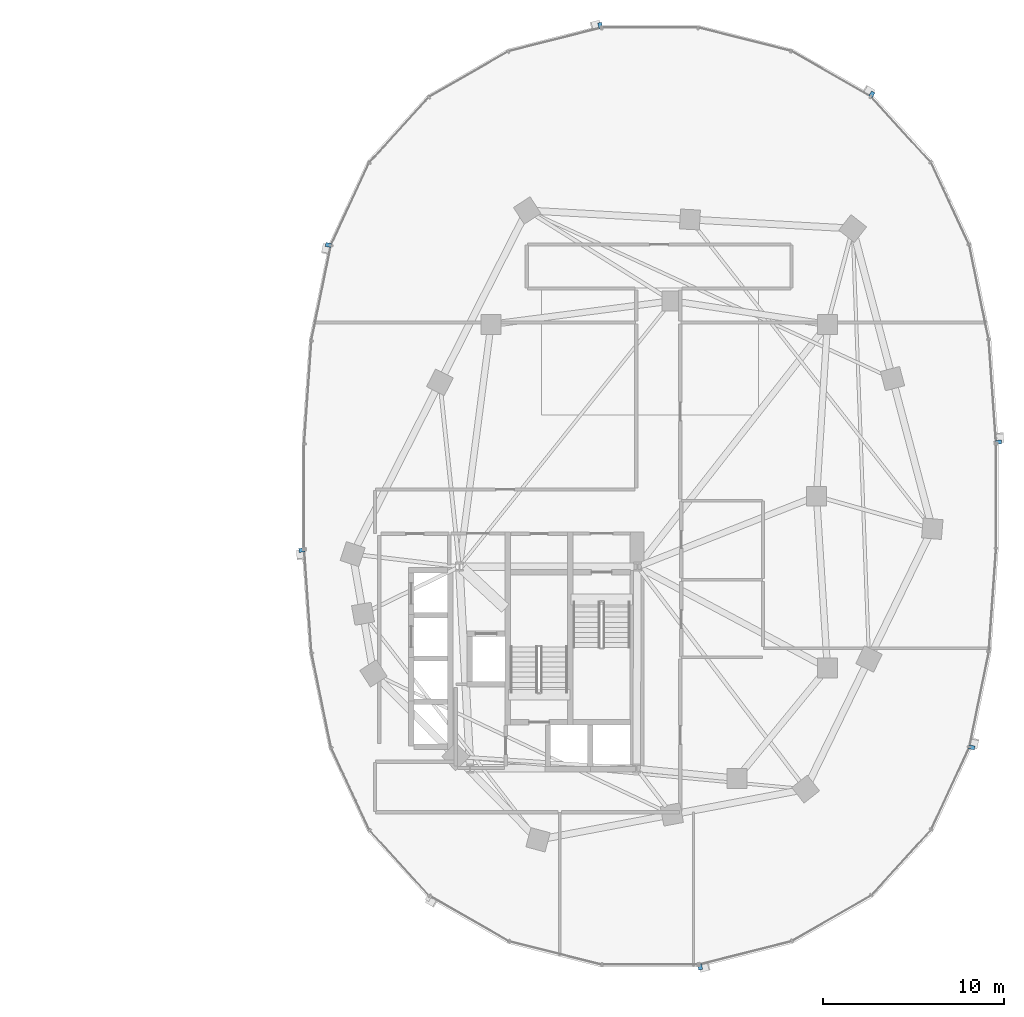
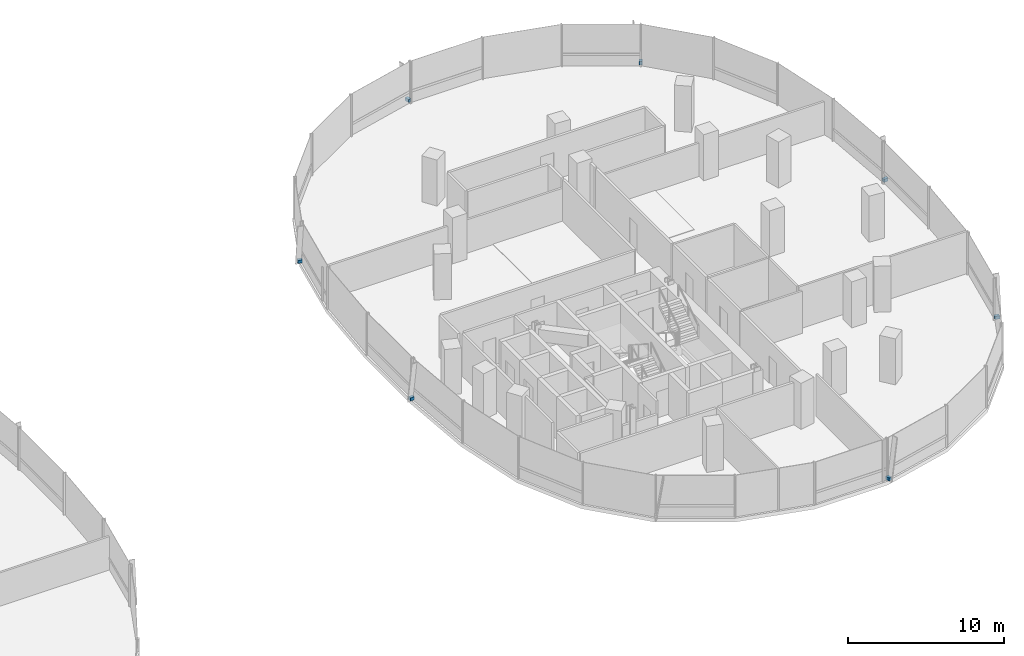
# One storey, part 16 of 21: 7 discrete accessories.
"""IFC4 building model written with IfcOpenShell, lengths in metres."""

from ifc_helpers import new_model, si_unit, direction, frame, origin, origin_2d, place, context, subcontext, project, spatial, rectangle, extrude, material, type_object, element, save


model = new_model("IFC4")

# Units and contexts
model_context = context("Model", 3, precision=1e-05, world=origin(), true_north=direction((0.0, 1.0)))
body_context = subcontext(model_context, "Body", "Model", "MODEL_VIEW")
ifc_project = project(units=[si_unit("LENGTHUNIT", "METRE"), si_unit("AREAUNIT", "SQUARE_METRE"), si_unit("VOLUMEUNIT", "CUBIC_METRE"), si_unit("PLANEANGLEUNIT", "RADIAN"), si_unit("MASSUNIT", "GRAM", prefix="KILO"), si_unit("THERMODYNAMICTEMPERATUREUNIT", "KELVIN"), si_unit("POWERUNIT", "WATT")], contexts=[model_context])

# Site, building, storey
site_placement = place(None, origin())
site = spatial("IfcSite", under=ifc_project, at=site_placement, CompositionType="ELEMENT")
building_placement = place(site_placement, origin())
building = spatial("IfcBuilding", under=site, at=building_placement, Name="Cundina Bronze Exchange", CompositionType="ELEMENT")
storey_placement = place(building_placement, frame((0.0, 0.0, 103.39990234375)))
storey = spatial("IfcBuildingStorey", under=building, at=storey_placement, Name="L26", CompositionType="ELEMENT", Elevation=103.39990234375)

# Discrete accessories
ifc_material = material(Name="Anodised Bronze Aluminium 6063-T6", Category="aluminium")
discrete_accessory_type = type_object("IfcDiscreteAccessoryType", Name="ACC-BRK-FIN", PredefinedType="BRACKET", material=ifc_material)
for number, where, z_axis, x_axis, name in (
    (1, (51.264404296875, 2.986083984375, 0.10009765625), (0.0, 0.0, 1.0), (-0.070278787473, 0.997527389113, 0.0), "L26 Fin Support Bracket 1"),
    (2, (44.259521484375, 22.21875, 0.10009765625), (0.0, 0.0, 1.0), (-0.867105478933, 0.498124571171, 0.0), "L26 Fin Support Bracket 5"),
    (3, (29.23974609375, 26.03173828125, 0.10009765625), (0.0, 0.0, 1.0), (-0.969488149345, -0.245138182011, 0.0), "L26 Fin Support Bracket 1"),
    (4, (14.211669921875, 13.8896484375, 0.10009765625), (0.0, 0.0, 1.0), (-0.201419845156, -0.979505000486, 0.0), "L26 Fin Support Bracket 5"),
    (5, (12.735595703125, -2.986083984375, 0.10009765625), (0.0, 0.0, 1.0), (0.070278787473, -0.997527389113, 0.0), "L26 Fin Support Bracket 1"),
    (6, (34.76025390625, -26.03173828125, 0.10009765625), (0.0, 0.0, 1.0), (0.969488149345, 0.245138182011, 0.0), "L26 Fin Support Bracket 1"),
    (7, (49.788330078125, -13.8896484375, 0.10009765625), (0.0, 0.0, 1.0), (0.201419845156, 0.979505000486, 0.0), "L26 Fin Support Bracket 5"),
):
    element("IfcDiscreteAccessory", number, at=place(storey_placement, frame(where, z_axis=z_axis, x_axis=x_axis)), inside=storey, type_object=discrete_accessory_type, Name=name, PredefinedType="BRACKET", context=body_context, shape_type="SweptSolid", body=[
        extrude(rectangle(XDim=0.219970703125, YDim=0.320068359375, at=origin_2d()), origin(), (0.0, 0.0, 1.0), 0.239990234375),
    ])

save(model, "model.ifc")
